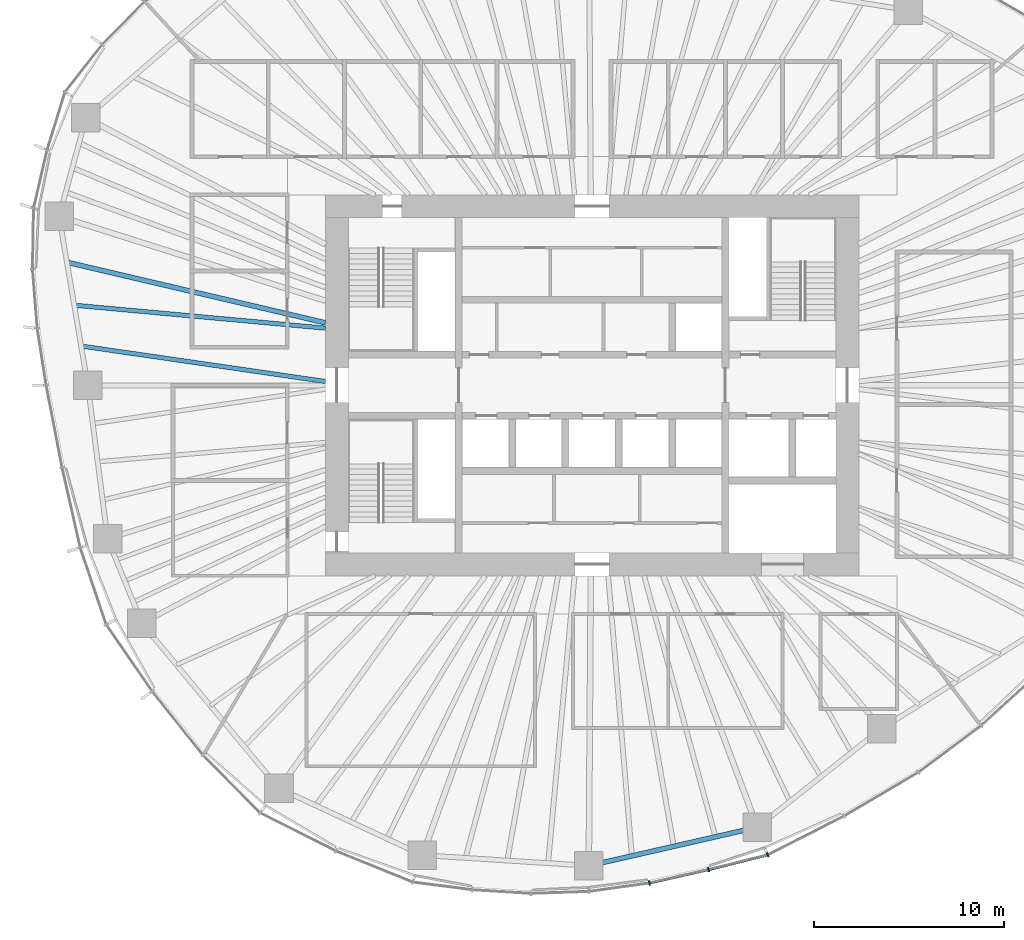
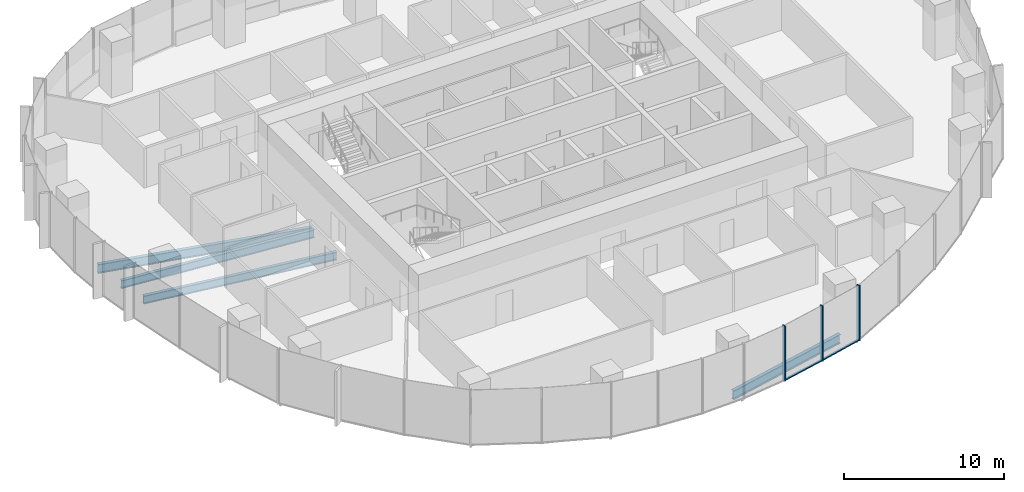
# One storey, part 3 of 18: 5 members, 4 beams, 2 elements without a shape of their own.
"""IFC4 building model written with IfcOpenShell, lengths in metres."""

from ifc_helpers import new_model, si_unit, direction, frame, origin, origin_2d, place, context, subcontext, project, spatial, rectangle, i_section, extrude, material, material_profile, profile_set, type_object, element, aggregate, save


model = new_model("IFC4")

# Units and contexts
model_context = context("Model", 3, precision=1e-05, world=origin(), true_north=direction((0.0, 1.0)))
body_context = subcontext(model_context, "Body", "Model", "MODEL_VIEW")
ifc_project = project(units=[si_unit("LENGTHUNIT", "METRE"), si_unit("AREAUNIT", "SQUARE_METRE"), si_unit("VOLUMEUNIT", "CUBIC_METRE"), si_unit("PLANEANGLEUNIT", "RADIAN"), si_unit("MASSUNIT", "GRAM", prefix="KILO")], contexts=[model_context])

# Site, building, storey
site_placement = place(None, origin())
site = spatial("IfcSite", under=ifc_project, at=site_placement, CompositionType="ELEMENT")
building_placement = place(site_placement, origin())
building = spatial("IfcBuilding", under=site, at=building_placement, Name="Ghaith Harvest Tower", CompositionType="ELEMENT")
storey_placement = place(building_placement, frame((0.0, 0.0, 142.800048828125)))
storey = spatial("IfcBuildingStorey", under=building, at=storey_placement, Name="L30", CompositionType="ELEMENT", Elevation=142.800048828125)

# Curtain wall, members
ifc_material_1 = material(Name="Black anodised aluminium and fritted glass", Category="aluminium")
curtain_wall_type = type_object("IfcCurtainWallType", Name="CW-L CURTAIN WALL", PredefinedType="NOTDEFINED", material=ifc_material_1)
curtain_wall_1_placement = place(storey_placement, origin())
curtain_wall_1 = element("IfcCurtainWall", 1, at=curtain_wall_1_placement, inside=storey, type_object=curtain_wall_type, Name="Curtain wall CW-L bay 16 L30", PredefinedType="NOTDEFINED")
ifc_material_2 = material(Name="Aluminium, black anodised", Category="aluminium")
ifc_material_profile_1 = material_profile(ifc_material_2, rectangle(XDim=0.080078125, YDim=0.239990234375, at=origin_2d()), Name="CW-L MULLION 80x240")
ifc_profile_set_1 = profile_set([ifc_material_profile_1], Name="Aluminium, black anodised")
member_type_1 = type_object("IfcMemberType", Name="CW-L MULLION 80x240", PredefinedType="MULLION", material=ifc_profile_set_1)
member_1_placement = place(storey_placement, frame((3.010009765625, -26.12939453125, 0.0), z_axis=(0.0, 0.0, 1.0), x_axis=(0.983806317978, 0.179234842337, 0.0)))
member_1 = element("IfcMember", 2, at=member_1_placement, type_object=member_type_1, Name="CW-L mullion 2 bay 16 L30", PredefinedType="MULLION", context=body_context, shape_type="SweptSolid", body=[
    extrude(rectangle(XDim=0.080078125, YDim=0.239990234375, at=origin_2d()), origin(), (0.0, 0.0, 1.0), 4.199951171875),
])
member_2_placement = place(storey_placement, frame((6.1201171875, -25.425537109375, 0.0), z_axis=(0.0, 0.0, 1.0), x_axis=(0.972918144681, 0.231149916179, 0.0)))
member_2 = element("IfcMember", 3, at=member_2_placement, type_object=member_type_1, Name="CW-L mullion 3 bay 16 L30", PredefinedType="MULLION", context=body_context, shape_type="SweptSolid", body=[
    extrude(rectangle(XDim=0.080078125, YDim=0.239990234375, at=origin_2d()), origin(), (0.0, 0.0, 1.0), 4.199951171875),
])

# Curtain wall, member
curtain_wall_2_placement = place(storey_placement, origin())
curtain_wall_2 = element("IfcCurtainWall", 4, at=curtain_wall_2_placement, inside=storey, type_object=curtain_wall_type, Name="Curtain wall CW-L bay 17 L30", PredefinedType="NOTDEFINED")
member_3_placement = place(storey_placement, frame((9.216796875, -24.654541015625, 0.0), z_axis=(0.0, 0.0, 1.0), x_axis=(0.929831847154, 0.367984695358, 0.0)))
member_3 = element("IfcMember", 5, at=member_3_placement, type_object=member_type_1, Name="CW-L mullion 1 bay 17 L30", PredefinedType="MULLION", context=body_context, shape_type="SweptSolid", body=[
    extrude(rectangle(XDim=0.080078125, YDim=0.239990234375, at=origin_2d()), origin(), (0.0, 0.0, 1.0), 4.199951171875),
])
aggregate(curtain_wall_2, [member_3])

# Member
ifc_material_3 = material(Name="Aluminium, black anodised", Category="aluminium")
ifc_material_profile_2 = material_profile(ifc_material_3, rectangle(XDim=0.14990234375, YDim=0.080078125, at=origin_2d()), Name="CW-L TRANSOM 150x80")
ifc_profile_set_2 = profile_set([ifc_material_profile_2], Name="Aluminium, black anodised")
member_type_2 = type_object("IfcMemberType", Name="CW-L TRANSOM 150x80", PredefinedType="USERDEFINED", material=ifc_profile_set_2)
member_4_placement = place(storey_placement, frame((3.048828125, -26.120361328125, 0.0400390625), z_axis=(0.975352213651, 0.22065370907, 0.0), x_axis=(-0.22065370907, 0.975352213651, 0.0)))
member_4 = element("IfcMember", 6, at=member_4_placement, type_object=member_type_2, Name="CW-L transom 2 bay 16 L30", ObjectType="TRANSOM", PredefinedType="USERDEFINED", context=body_context, shape_type="SweptSolid", body=[
    extrude(rectangle(XDim=0.14990234375, YDim=0.080078125, at=origin_2d()), origin(), (0.0, 0.0, 1.0), 3.109130859375),
])

member_5_placement = place(storey_placement, frame((6.158935546875, -25.415771484375, 0.0400390625), z_axis=(0.97039125345, 0.241538434265, 0.0), x_axis=(-0.241538434265, 0.97039125345, 0.0)))
member_5 = element("IfcMember", 7, at=member_5_placement, type_object=member_type_2, Name="CW-L transom 3 bay 16 L30", ObjectType="TRANSOM", PredefinedType="USERDEFINED", context=body_context, shape_type="SweptSolid", body=[
    extrude(rectangle(XDim=0.14990234375, YDim=0.080078125, at=origin_2d()), origin(), (0.0, 0.0, 1.0), 3.111083984375),
])

aggregate(curtain_wall_1, [member_1, member_4, member_2, member_5])

# Beams
ifc_material_4 = material(Name="Steel ASTM A992 Grade 50", Category="steel")
ifc_material_profile_3 = material_profile(ifc_material_4, i_section(OverallWidth=0.25390625, OverallDepth=0.68408203125, WebThickness=0.012451171875, FlangeThickness=0.018798828125, at=origin_2d()), Name="W690X140")
ifc_profile_set_3 = profile_set([ifc_material_profile_3], Name="Steel ASTM A992 Grade 50")
beam_type_1 = type_object("IfcBeamType", Name="E690-140 W690X140", PredefinedType="SPANDREL", material=ifc_profile_set_3)
beam_1_placement = place(storey_placement, frame((-0.173095703125, -25.22412109375, -0.511962890625), z_axis=(0.974881709383, 0.22272326486, 0.0), x_axis=(-0.22272326486, 0.974881709383, 0.0)))
element("IfcBeam", 8, at=beam_1_placement, inside=storey, type_object=beam_type_1, Name="Edge beam E16 L30", PredefinedType="SPANDREL", context=body_context, shape_type="SweptSolid", body=[
    extrude(i_section(OverallWidth=0.25390625, OverallDepth=0.68408203125, WebThickness=0.012451171875, FlangeThickness=0.018798828125, at=origin_2d()), origin(), (0.0, 0.0, 1.0), 9.0751953125),
])
ifc_material_5 = material(Name="Steel ASTM A992 Grade 50", Category="steel")
ifc_material_profile_4 = material_profile(ifc_material_5, i_section(OverallWidth=0.22900390625, OverallDepth=0.612060546875, WebThickness=0.011962890625, FlangeThickness=0.01953125, at=origin_2d()), Name="W610X125")
ifc_profile_set_4 = profile_set([ifc_material_profile_4], Name="Steel ASTM A992 Grade 50")
beam_type_2 = type_object("IfcBeamType", Name="J610-125 W610X125", PredefinedType="JOIST", material=ifc_profile_set_4)
beam_2_placement = place(storey_placement, frame((-14.0, 3.0, -0.47607421875), z_axis=(-0.995849123151, 0.091019360137, 0.0), x_axis=(-0.091019360137, -0.995849123151, 0.0)))
element("IfcBeam", 9, at=beam_2_placement, inside=storey, type_object=beam_type_2, Name="Joist J10.2 L30", PredefinedType="JOIST", context=body_context, shape_type="SweptSolid", body=[
    extrude(i_section(OverallWidth=0.22900390625, OverallDepth=0.612060546875, WebThickness=0.011962890625, FlangeThickness=0.01953125, at=origin_2d()), origin(), (0.0, 0.0, 1.0), 13.2451171875),
])
beam_3_placement = place(storey_placement, frame((-14.0, 0.199951171875, -0.47607421875), z_axis=(-0.989622120656, 0.143694322465, 0.0), x_axis=(-0.143694322465, -0.989622120656, 0.0)))
element("IfcBeam", 10, at=beam_3_placement, inside=storey, type_object=beam_type_2, Name="Joist J10.3 L30", PredefinedType="JOIST", context=body_context, shape_type="SweptSolid", body=[
    extrude(i_section(OverallWidth=0.22900390625, OverallDepth=0.612060546875, WebThickness=0.011962890625, FlangeThickness=0.01953125, at=origin_2d()), origin(), (0.0, 0.0, 1.0), 12.960205078125),
])
ifc_material_6 = material(Name="Steel ASTM A992 Grade 50", Category="steel")
ifc_material_profile_5 = material_profile(ifc_material_6, i_section(OverallWidth=0.25390625, OverallDepth=0.68408203125, WebThickness=0.012451171875, FlangeThickness=0.018798828125, at=origin_2d()), Name="W690X140")
ifc_profile_set_5 = profile_set([ifc_material_profile_5], Name="Steel ASTM A992 Grade 50")
beam_type_3 = type_object("IfcBeamType", Name="J690-140 W690X140", PredefinedType="JOIST", material=ifc_profile_set_5)
beam_4_placement = place(storey_placement, frame((-14.0, 3.280517578125, -0.511962890625), z_axis=(-0.973623240284, 0.228161753978, 0.0), x_axis=(-0.228161753978, -0.973623240284, 0.0)))
element("IfcBeam", 11, at=beam_4_placement, inside=storey, type_object=beam_type_3, Name="Joist J10.1 L30", PredefinedType="JOIST", context=body_context, shape_type="SweptSolid", body=[
    extrude(i_section(OverallWidth=0.25390625, OverallDepth=0.68408203125, WebThickness=0.012451171875, FlangeThickness=0.018798828125, at=origin_2d()), origin(), (0.0, 0.0, 1.0), 13.94140625),
])

save(model, "model.ifc")
